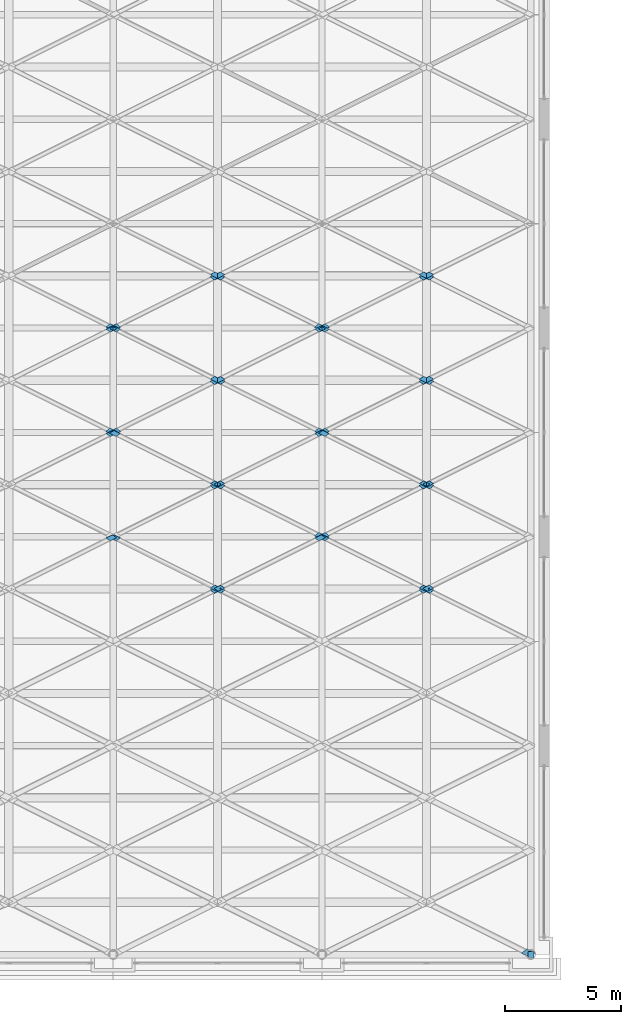
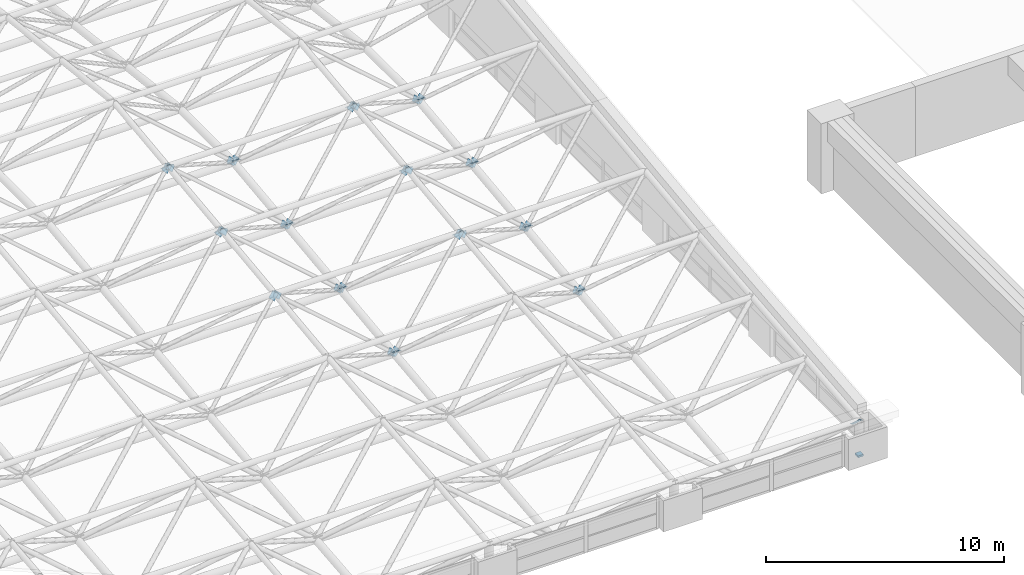
# One storey, part 46 of 53: 56 discrete accessories.
"""IFC4 building model written with IfcOpenShell, lengths in metres."""

from ifc_helpers import new_model, si_unit, direction, frame, origin, origin_2d, place, context, subcontext, project, spatial, polyline, rectangle, outline, extrude, material, layer, layer_set, type_object, element, save


model = new_model("IFC4")

# Units and contexts
model_context = context("Model", 3, precision=1e-05, world=origin(), true_north=direction((0.0, 1.0)))
body_context = subcontext(model_context, "Body", "Model", "MODEL_VIEW")
ifc_project = project(units=[si_unit("LENGTHUNIT", "METRE"), si_unit("AREAUNIT", "SQUARE_METRE"), si_unit("VOLUMEUNIT", "CUBIC_METRE"), si_unit("PLANEANGLEUNIT", "RADIAN"), si_unit("MASSUNIT", "GRAM", prefix="KILO")], contexts=[model_context])

# Site, building, storey
site_placement = place(None, origin())
site = spatial("IfcSite", under=ifc_project, at=site_placement, CompositionType="ELEMENT")
building_placement = place(site_placement, origin())
building = spatial("IfcBuilding", under=site, at=building_placement, Name="Aravalli Gate Trade Fair Centre", CompositionType="ELEMENT")
storey_placement = place(building_placement, frame((0.0, 0.0, 25.199951171875)))
storey = spatial("IfcBuildingStorey", under=building, at=storey_placement, Name="ROOF LEVEL 2", CompositionType="ELEMENT", Elevation=25.199951171875)

# Discrete accessories
ifc_material = material(Name="Steel E350", Category="steel")
discrete_accessory_type_1 = type_object("IfcDiscreteAccessoryType", Name="Bearing shoe fixed", PredefinedType="BRACKET", material=ifc_material)
discrete_accessory_1_placement = place(storey_placement, frame((105.0, 46.0, 0.0), z_axis=(0.0, 0.0, 1.0), x_axis=(1.0, 0.0, 0.0)))
element("IfcDiscreteAccessory", 1, at=discrete_accessory_1_placement, inside=storey, type_object=discrete_accessory_type_1, Name="Bearing shoe A12 (fixed)", PredefinedType="BRACKET", context=body_context, shape_type="SweptSolid", body=[
    extrude(rectangle(XDim=0.260009765625, YDim=0.260009765625, at=origin_2d()), origin(), (0.0, 0.0, 1.0), 0.10009765625),
])
ifc_layer_1 = layer(ifc_material, 0.011962890625)
ifc_layer_set_1 = layer_set([ifc_layer_1], Name="Steel E350")
discrete_accessory_type_2 = type_object("IfcDiscreteAccessoryType", Name="Gusset plate 291 x 291 x 12", PredefinedType="USERDEFINED", material=ifc_layer_set_1)
for number, where, z_axis, x_axis, name in (
    (2, (91.181884765625, 61.713134765625, 0.479248046875), (0.000260921892, 0.770886805608, 0.636972106814), (0.786233024012, 0.393446097564, -0.476484837392), "Gusset plate Space frame web diagonal D2A end B"),
    (3, (100.181884765625, 61.713134765625, 0.479248046875), (0.000260921892, 0.770886805608, 0.636972106814), (0.786233024012, 0.393446097564, -0.476484837392), "Gusset plate Space frame web diagonal D2A end B"),
):
    element("IfcDiscreteAccessory", number, at=place(storey_placement, frame(where, z_axis=z_axis, x_axis=x_axis)), inside=storey, type_object=discrete_accessory_type_2, Name=name, ObjectType="GUSSET PLATE", PredefinedType="USERDEFINED", context=body_context, shape_type="SweptSolid", body=[
        extrude(outline(polyline([(0.0, 0.0), (0.3704496717105797, -1.3877787807814457e-17), (0.37041105616888137, -0.29044341854454775), (-0.00023056696357631745, -0.2902925567125407), (0.0, 0.0)])), origin(), (0.0, 0.0, -1.0), 0.011962890625),
    ])
discrete_accessory_2_placement = place(storey_placement, frame((91.181884765625, 66.213134765625, 1.029052734375), z_axis=(-6.9765199e-05, 0.771154883137, 0.636647580178), x_axis=(0.786233023991, 0.393446013556, -0.476484906794)))
element("IfcDiscreteAccessory", 4, at=discrete_accessory_2_placement, inside=storey, type_object=discrete_accessory_type_2, Name="Gusset plate Space frame web diagonal D2A end B", ObjectType="GUSSET PLATE", PredefinedType="USERDEFINED", context=body_context, shape_type="SweptSolid", body=[
    extrude(outline(polyline([(0.0, 0.0), (0.37044967171058096, -2.7755575615628914e-17), (0.3702947268495056, -0.290591407927876), (-0.0003468962829482891, -0.29044054608337494), (0.0, 0.0)])), origin(), (0.0, 0.0, -1.0), 0.011962890625),
])
discrete_accessory_3_placement = place(storey_placement, frame((96.138916015625, 64.191650390625, 3.477294921875), z_axis=(-6.9765199e-05, 0.771154883137, 0.636647580178), x_axis=(-0.786484474244, -0.393242254842, 0.476238071536)))
element("IfcDiscreteAccessory", 5, at=discrete_accessory_3_placement, inside=storey, type_object=discrete_accessory_type_2, Name="Gusset plate Space frame web diagonal D2A end A", ObjectType="GUSSET PLATE", PredefinedType="USERDEFINED", context=body_context, shape_type="SweptSolid", body=[
    extrude(outline(polyline([(0.0, 0.0), (0.37064165383501635, -1.3877787807814457e-17), (0.3706783195979393, 0.29059144692340316), (0.00022867857401766278, 0.2904406632211646), (0.0, 0.0)])), origin(), (0.0, 0.0, -1.0), 0.011962890625),
])
discrete_accessory_4_placement = place(storey_placement, frame((100.181884765625, 66.213134765625, 1.029052734375), z_axis=(-6.9765199e-05, 0.771154883137, 0.636647580178), x_axis=(0.786233023991, 0.393446013556, -0.476484906794)))
element("IfcDiscreteAccessory", 6, at=discrete_accessory_4_placement, inside=storey, type_object=discrete_accessory_type_2, Name="Gusset plate Space frame web diagonal D2A end B", ObjectType="GUSSET PLATE", PredefinedType="USERDEFINED", context=body_context, shape_type="SweptSolid", body=[
    extrude(outline(polyline([(0.0, 0.0), (0.37044967171058096, -2.7755575615628914e-17), (0.3702947268495056, -0.290591407927876), (-0.0003468962829482891, -0.29044054608337494), (0.0, 0.0)])), origin(), (0.0, 0.0, -1.0), 0.011962890625),
])
for number, where, z_axis, x_axis, name in (
    (7, (91.638916015625, 61.567626953125, 0.6552734375), (-0.000260921892, 0.770886805608, 0.636972106814), (-0.786484474223, 0.393242170877, -0.476238140902), "Gusset plate Space frame web diagonal D2B end B"),
    (8, (100.638916015625, 61.567626953125, 0.6552734375), (-0.000260921892, 0.770886805608, 0.636972106814), (-0.786484474223, 0.393242170877, -0.476238140902), "Gusset plate Space frame web diagonal D2B end B"),
):
    element("IfcDiscreteAccessory", number, at=place(storey_placement, frame(where, z_axis=z_axis, x_axis=x_axis)), inside=storey, type_object=discrete_accessory_type_2, Name=name, ObjectType="GUSSET PLATE", PredefinedType="USERDEFINED", context=body_context, shape_type="SweptSolid", body=[
        extrude(outline(polyline([(0.0, 0.0), (0.37064165383501513, 1.3877787807814457e-17), (0.37056205053393565, -0.29044341020294784), (0.00011240951001027788, -0.2902926265131968), (0.0, 0.0)])), origin(), (0.0, 0.0, -1.0), 0.011962890625),
    ])
discrete_accessory_5_placement = place(storey_placement, frame((95.681884765625, 64.046142578125, 3.653564453125), z_axis=(6.9765199e-05, 0.771154883137, 0.636647580178), x_axis=(0.786233023991, -0.393446013556, 0.476484906794)))
element("IfcDiscreteAccessory", 9, at=discrete_accessory_5_placement, inside=storey, type_object=discrete_accessory_type_2, Name="Gusset plate Space frame web diagonal D2B end A", ObjectType="GUSSET PLATE", PredefinedType="USERDEFINED", context=body_context, shape_type="SweptSolid", body=[
    extrude(outline(polyline([(0.0, 0.0), (0.37044967171058096, 2.7755575615628914e-17), (0.3702947268495056, 0.290591407927876), (-0.0003468962829482891, 0.29044054608337494), (0.0, 0.0)])), origin(), (0.0, 0.0, -1.0), 0.011962890625),
])
for number, where, z_axis, x_axis, name in (
    (10, (91.638916015625, 66.067626953125, 1.205322265625), (6.9765199e-05, 0.771154883137, 0.636647580178), (-0.786484474244, 0.393242254842, -0.476238071536), "Gusset plate Space frame web diagonal D2B end B"),
    (11, (100.638916015625, 66.067626953125, 1.205322265625), (6.9765199e-05, 0.771154883137, 0.636647580178), (-0.786484474244, 0.393242254842, -0.476238071536), "Gusset plate Space frame web diagonal D2B end B"),
):
    element("IfcDiscreteAccessory", number, at=place(storey_placement, frame(where, z_axis=z_axis, x_axis=x_axis)), inside=storey, type_object=discrete_accessory_type_2, Name=name, ObjectType="GUSSET PLATE", PredefinedType="USERDEFINED", context=body_context, shape_type="SweptSolid", body=[
        extrude(outline(polyline([(0.0, 0.0), (0.37064165383501635, 1.3877787807814457e-17), (0.3706783195979393, -0.29059144692340316), (0.00022867857401766278, -0.2904406632211646), (0.0, 0.0)])), origin(), (0.0, 0.0, -1.0), 0.011962890625),
    ])
discrete_accessory_6_placement = place(storey_placement, frame((87.12158203125, 63.824462890625, 3.455078125), z_axis=(-5.9235462e-05, -0.824355565608, 0.566072343383), x_axis=(-0.74910175115, 0.37503400761, 0.546073309694)))
element("IfcDiscreteAccessory", 12, at=discrete_accessory_6_placement, inside=storey, type_object=discrete_accessory_type_2, Name="Gusset plate Space frame web diagonal D2C end A", ObjectType="GUSSET PLATE", PredefinedType="USERDEFINED", context=body_context, shape_type="SweptSolid", body=[
    extrude(outline(polyline([(0.0, 0.0), (0.37056099002046733, -1.3877787807814457e-17), (0.3708571273038952, -0.29037522366126584), (0.00024656979283793623, -0.29068772448272373), (0.0, 0.0)])), origin(), (0.0, 0.0, -1.0), 0.011962890625),
])
discrete_accessory_7_placement = place(storey_placement, frame((91.18603515625, 61.792236328125, 0.4970703125), z_axis=(-0.000338926475, -0.824215745649, 0.566275807141), x_axis=(0.749929468437, -0.374811008577, -0.545089442403)))
element("IfcDiscreteAccessory", 13, at=discrete_accessory_7_placement, inside=storey, type_object=discrete_accessory_type_2, Name="Gusset plate Space frame web diagonal D2C end B", ObjectType="GUSSET PLATE", PredefinedType="USERDEFINED", context=body_context, shape_type="SweptSolid", body=[
    extrude(outline(polyline([(0.0, 0.0), (0.3704775800363668, 1.3877787807814457e-17), (0.37054452148215117, 0.29037536695413646), (0.00011695121776518491, 0.29068780553250784), (0.0, 0.0)])), origin(), (0.0, 0.0, -1.0), 0.011962890625),
])
discrete_accessory_8_placement = place(storey_placement, frame((96.12158203125, 63.824462890625, 3.455078125), z_axis=(-5.9235462e-05, -0.824355565608, 0.566072343383), x_axis=(-0.74910175115, 0.37503400761, 0.546073309694)))
element("IfcDiscreteAccessory", 14, at=discrete_accessory_8_placement, inside=storey, type_object=discrete_accessory_type_2, Name="Gusset plate Space frame web diagonal D2C end A", ObjectType="GUSSET PLATE", PredefinedType="USERDEFINED", context=body_context, shape_type="SweptSolid", body=[
    extrude(outline(polyline([(0.0, 0.0), (0.37056099002046733, -1.3877787807814457e-17), (0.3708571273038952, -0.29037522366126584), (0.00024656979283793623, -0.29068772448272373), (0.0, 0.0)])), origin(), (0.0, 0.0, -1.0), 0.011962890625),
])
discrete_accessory_9_placement = place(storey_placement, frame((100.18603515625, 61.792236328125, 0.4970703125), z_axis=(-0.000338926475, -0.824215745649, 0.566275807141), x_axis=(0.749929468437, -0.374811008577, -0.545089442403)))
element("IfcDiscreteAccessory", 15, at=discrete_accessory_9_placement, inside=storey, type_object=discrete_accessory_type_2, Name="Gusset plate Space frame web diagonal D2C end B", ObjectType="GUSSET PLATE", PredefinedType="USERDEFINED", context=body_context, shape_type="SweptSolid", body=[
    extrude(outline(polyline([(0.0, 0.0), (0.3704775800363668, 1.3877787807814457e-17), (0.37054452148215117, 0.29037536695413646), (0.00011695121776518491, 0.29068780553250784), (0.0, 0.0)])), origin(), (0.0, 0.0, -1.0), 0.011962890625),
])
discrete_accessory_10_placement = place(storey_placement, frame((87.12158203125, 68.324462890625, 4.005126953125), z_axis=(-5.9235462e-05, -0.824355565608, 0.566072343383), x_axis=(-0.74937131646, 0.374861397834, 0.545821914622)))
element("IfcDiscreteAccessory", 16, at=discrete_accessory_10_placement, inside=storey, type_object=discrete_accessory_type_2, Name="Gusset plate Space frame web diagonal D2C end A", ObjectType="GUSSET PLATE", PredefinedType="USERDEFINED", context=body_context, shape_type="SweptSolid", body=[
    extrude(outline(polyline([(0.0, 0.0), (0.3704277020236978, 0.0), (0.37073891027907924, -0.290526143046557), (-5.001029550574798e-06, -0.29053697785674903), (0.0, 0.0)])), origin(), (0.0, 0.0, -1.0), 0.011962890625),
])
discrete_accessory_11_placement = place(storey_placement, frame((91.18603515625, 66.292236328125, 1.047119140625), z_axis=(-0.000356491483, -0.824386555112, 0.566027102411), x_axis=(0.749660046124, -0.374830119882, -0.545446786108)))
element("IfcDiscreteAccessory", 17, at=discrete_accessory_11_placement, inside=storey, type_object=discrete_accessory_type_2, Name="Gusset plate Space frame web diagonal D2C end B", ObjectType="GUSSET PLATE", PredefinedType="USERDEFINED", context=body_context, shape_type="SweptSolid", body=[
    extrude(outline(polyline([(0.0, 0.0), (0.37061069570280314, 0.0), (0.3704262257769532, 0.2905262593825685), (-1.4474536517566916e-06, 0.29068783726431885), (0.0, 0.0)])), origin(), (0.0, 0.0, -1.0), 0.011962890625),
])
discrete_accessory_12_placement = place(storey_placement, frame((96.12158203125, 68.324462890625, 4.005126953125), z_axis=(-5.9235462e-05, -0.824355565608, 0.566072343383), x_axis=(-0.74937131646, 0.374861397834, 0.545821914622)))
element("IfcDiscreteAccessory", 18, at=discrete_accessory_12_placement, inside=storey, type_object=discrete_accessory_type_2, Name="Gusset plate Space frame web diagonal D2C end A", ObjectType="GUSSET PLATE", PredefinedType="USERDEFINED", context=body_context, shape_type="SweptSolid", body=[
    extrude(outline(polyline([(0.0, 0.0), (0.3704277020236978, 0.0), (0.37073891027907924, -0.290526143046557), (-5.001029550574798e-06, -0.29053697785674903), (0.0, 0.0)])), origin(), (0.0, 0.0, -1.0), 0.011962890625),
])
discrete_accessory_13_placement = place(storey_placement, frame((100.18603515625, 66.292236328125, 1.047119140625), z_axis=(-0.000356491483, -0.824386555112, 0.566027102411), x_axis=(0.749660046124, -0.374830119882, -0.545446786108)))
element("IfcDiscreteAccessory", 19, at=discrete_accessory_13_placement, inside=storey, type_object=discrete_accessory_type_2, Name="Gusset plate Space frame web diagonal D2C end B", ObjectType="GUSSET PLATE", PredefinedType="USERDEFINED", context=body_context, shape_type="SweptSolid", body=[
    extrude(outline(polyline([(0.0, 0.0), (0.37061069570280314, 0.0), (0.3704262257769532, 0.2905262593825685), (-1.4474536517566916e-06, 0.29068783726431885), (0.0, 0.0)])), origin(), (0.0, 0.0, -1.0), 0.011962890625),
])
for number, where, z_axis, x_axis, name in (
    (20, (86.68603515625, 63.94775390625, 3.634765625), (5.9235462e-05, -0.824355565608, 0.566072343383), (0.749660070237, 0.374676343996, 0.545552395598), "Gusset plate Space frame web diagonal D2D end A"),
    (21, (95.68603515625, 63.94775390625, 3.634765625), (5.9235462e-05, -0.824355565608, 0.566072343383), (0.749660070237, 0.374676343996, 0.545552395598), "Gusset plate Space frame web diagonal D2D end A"),
):
    element("IfcDiscreteAccessory", number, at=place(storey_placement, frame(where, z_axis=z_axis, x_axis=x_axis)), inside=storey, type_object=discrete_accessory_type_2, Name=name, ObjectType="GUSSET PLATE", PredefinedType="USERDEFINED", context=body_context, shape_type="SweptSolid", body=[
        extrude(outline(polyline([(0.0, 0.0), (0.3706106892622231, -1.3877787807814457e-17), (0.3705593979521325, -0.2903753701380719), (-1.4603348369723879e-06, -0.29068782905287593), (0.0, 0.0)])), origin(), (0.0, 0.0, -1.0), 0.011962890625),
    ])
for number, where, z_axis, x_axis, name in (
    (22, (91.62158203125, 61.91552734375, 0.6767578125), (0.000338926475, -0.824215745649, 0.566275807141), (-0.74937124219, -0.375168906268, -0.545610697428), "Gusset plate Space frame web diagonal D2D end B"),
    (23, (100.62158203125, 61.91552734375, 0.6767578125), (0.000338926475, -0.824215745649, 0.566275807141), (-0.74937124219, -0.375168906268, -0.545610697428), "Gusset plate Space frame web diagonal D2D end B"),
):
    element("IfcDiscreteAccessory", number, at=place(storey_placement, frame(where, z_axis=z_axis, x_axis=x_axis)), inside=storey, type_object=discrete_accessory_type_2, Name=name, ObjectType="GUSSET PLATE", PredefinedType="USERDEFINED", context=body_context, shape_type="SweptSolid", body=[
        extrude(outline(polyline([(0.0, 0.0), (0.3704277020281311, 2.7755575615628914e-17), (0.37060567875441897, 0.29037532012757467), (0.00012823049953920862, 0.29068780077573153), (0.0, 0.0)])), origin(), (0.0, 0.0, -1.0), 0.011962890625),
    ])
for number, where, z_axis, x_axis, name in (
    (24, (86.68603515625, 68.44775390625, 4.1845703125), (5.9235462e-05, -0.824355565608, 0.566072343383), (0.749390667151, 0.374849001628, 0.545803860343), "Gusset plate Space frame web diagonal D2D end A"),
    (25, (95.68603515625, 68.44775390625, 4.1845703125), (5.9235462e-05, -0.824355565608, 0.566072343383), (0.749390667151, 0.374849001628, 0.545803860343), "Gusset plate Space frame web diagonal D2D end A"),
):
    element("IfcDiscreteAccessory", number, at=place(storey_placement, frame(where, z_axis=z_axis, x_axis=x_axis)), inside=storey, type_object=discrete_accessory_type_2, Name=name, ObjectType="GUSSET PLATE", PredefinedType="USERDEFINED", context=body_context, shape_type="SweptSolid", body=[
        extrude(outline(polyline([(0.0, 0.0), (0.37074391146695085, 0.0), (0.3704411936966931, -0.2905261520174016), (1.3491831181253189e-05, -0.2905369775865267), (0.0, 0.0)])), origin(), (0.0, 0.0, -1.0), 0.011962890625),
    ])
for number, where, z_axis, x_axis, name in (
    (26, (91.62158203125, 66.41552734375, 1.226806640625), (0.000356491483, -0.824386555112, 0.566027102411), (-0.749371292409, -0.375015088164, -0.54571636384), "Gusset plate Space frame web diagonal D2D end B"),
    (27, (100.62158203125, 66.41552734375, 1.226806640625), (0.000356491483, -0.824386555112, 0.566027102411), (-0.749371292409, -0.375015088164, -0.54571636384), "Gusset plate Space frame web diagonal D2D end B"),
):
    element("IfcDiscreteAccessory", number, at=place(storey_placement, frame(where, z_axis=z_axis, x_axis=x_axis)), inside=storey, type_object=discrete_accessory_type_2, Name=name, ObjectType="GUSSET PLATE", PredefinedType="USERDEFINED", context=body_context, shape_type="SweptSolid", body=[
        extrude(outline(polyline([(0.0, 0.0), (0.3704277084701571, 1.3877787807814457e-17), (0.3707389038272042, 0.29052615127976134), (0.00012824338136119273, 0.2906878089792164), (0.0, 0.0)])), origin(), (0.0, 0.0, -1.0), 0.011962890625),
    ])
discrete_accessory_14_placement = place(storey_placement, frame((87.138671875, 68.69140625, 4.027099609375), z_axis=(0.000259688153, 0.77158167438, 0.636130216483), x_axis=(-0.786189750281, -0.392961505637, 0.476955901148)))
element("IfcDiscreteAccessory", 28, at=discrete_accessory_14_placement, inside=storey, type_object=discrete_accessory_type_2, Name="Gusset plate Space frame web diagonal D3A end A", ObjectType="GUSSET PLATE", PredefinedType="USERDEFINED", context=body_context, shape_type="SweptSolid", body=[
    extrude(outline(polyline([(0.0, 0.0), (0.37047009323158403, -1.3877787807814457e-17), (0.3706453255393415, 0.29059138113822636), (7.929444017017173e-05, 0.29046925152010133), (0.0, 0.0)])), origin(), (0.0, 0.0, -1.0), 0.011962890625),
])
discrete_accessory_15_placement = place(storey_placement, frame((91.181884765625, 70.713134765625, 1.574462890625), z_axis=(0.000589123978, 0.771792295466, 0.635874441689), x_axis=(0.785942550469, 0.392803472142, -0.477493182816)))
element("IfcDiscreteAccessory", 29, at=discrete_accessory_15_placement, inside=storey, type_object=discrete_accessory_type_2, Name="Gusset plate Space frame web diagonal D3A end B", ObjectType="GUSSET PLATE", PredefinedType="USERDEFINED", context=body_context, shape_type="SweptSolid", body=[
    extrude(outline(polyline([(0.0, 0.0), (0.3705866429803553, -2.7755575615628914e-17), (0.37039124031354775, -0.29046920151748473), (-7.882718272163303e-05, -0.29032116611826925), (0.0, 0.0)])), origin(), (0.0, 0.0, -1.0), 0.011962890625),
])
discrete_accessory_16_placement = place(storey_placement, frame((96.138671875, 68.69140625, 4.027099609375), z_axis=(0.000259688153, 0.77158167438, 0.636130216483), x_axis=(-0.786189750281, -0.392961505637, 0.476955901148)))
element("IfcDiscreteAccessory", 30, at=discrete_accessory_16_placement, inside=storey, type_object=discrete_accessory_type_2, Name="Gusset plate Space frame web diagonal D3A end A", ObjectType="GUSSET PLATE", PredefinedType="USERDEFINED", context=body_context, shape_type="SweptSolid", body=[
    extrude(outline(polyline([(0.0, 0.0), (0.37047009323158403, -1.3877787807814457e-17), (0.3706453255393415, 0.29059138113822636), (7.929444017017173e-05, 0.29046925152010133), (0.0, 0.0)])), origin(), (0.0, 0.0, -1.0), 0.011962890625),
])
discrete_accessory_17_placement = place(storey_placement, frame((100.181884765625, 70.713134765625, 1.574462890625), z_axis=(0.000589123978, 0.771792295466, 0.635874441689), x_axis=(0.785942550469, 0.392803472142, -0.477493182816)))
element("IfcDiscreteAccessory", 31, at=discrete_accessory_17_placement, inside=storey, type_object=discrete_accessory_type_2, Name="Gusset plate Space frame web diagonal D3A end B", ObjectType="GUSSET PLATE", PredefinedType="USERDEFINED", context=body_context, shape_type="SweptSolid", body=[
    extrude(outline(polyline([(0.0, 0.0), (0.3705866429803553, -2.7755575615628914e-17), (0.37039124031354775, -0.29046920151748473), (-7.882718272163303e-05, -0.29032116611826925), (0.0, 0.0)])), origin(), (0.0, 0.0, -1.0), 0.011962890625),
])
discrete_accessory_18_placement = place(storey_placement, frame((87.138671875, 73.19140625, 4.567138671875), z_axis=(0.000259688153, 0.77158167438, 0.636130216483), x_axis=(-0.786189750281, -0.392961505637, 0.476955901148)))
element("IfcDiscreteAccessory", 32, at=discrete_accessory_18_placement, inside=storey, type_object=discrete_accessory_type_2, Name="Gusset plate Space frame web diagonal D3A end A", ObjectType="GUSSET PLATE", PredefinedType="USERDEFINED", context=body_context, shape_type="SweptSolid", body=[
    extrude(outline(polyline([(0.0, 0.0), (0.37047009323158403, -1.3877787807814457e-17), (0.3706453255393415, 0.29059138113822636), (7.929444017017173e-05, 0.29046925152010133), (0.0, 0.0)])), origin(), (0.0, 0.0, -1.0), 0.011962890625),
])
discrete_accessory_19_placement = place(storey_placement, frame((91.181884765625, 75.213134765625, 2.1142578125), z_axis=(0.000259222443, 0.771843687699, 0.635812279342), x_axis=(0.78618965885, 0.392765328311, -0.477117613586)))
element("IfcDiscreteAccessory", 33, at=discrete_accessory_19_placement, inside=storey, type_object=discrete_accessory_type_2, Name="Gusset plate Space frame web diagonal D3A end B", ObjectType="GUSSET PLATE", PredefinedType="USERDEFINED", context=body_context, shape_type="SweptSolid", body=[
    extrude(outline(polyline([(0.0, 0.0), (0.3704701052045229, -2.7755575615628914e-17), (0.3703907868210381, -0.2904692667840814), (-7.931838348480824e-05, -0.2904692667840814), (0.0, 0.0)])), origin(), (0.0, 0.0, -1.0), 0.011962890625),
])
discrete_accessory_20_placement = place(storey_placement, frame((96.138671875, 73.19140625, 4.567138671875), z_axis=(0.000259688153, 0.77158167438, 0.636130216483), x_axis=(-0.786189750281, -0.392961505637, 0.476955901148)))
element("IfcDiscreteAccessory", 34, at=discrete_accessory_20_placement, inside=storey, type_object=discrete_accessory_type_2, Name="Gusset plate Space frame web diagonal D3A end A", ObjectType="GUSSET PLATE", PredefinedType="USERDEFINED", context=body_context, shape_type="SweptSolid", body=[
    extrude(outline(polyline([(0.0, 0.0), (0.37047009323158403, -1.3877787807814457e-17), (0.3706453255393415, 0.29059138113822636), (7.929444017017173e-05, 0.29046925152010133), (0.0, 0.0)])), origin(), (0.0, 0.0, -1.0), 0.011962890625),
])
discrete_accessory_21_placement = place(storey_placement, frame((100.181884765625, 75.213134765625, 2.1142578125), z_axis=(0.000259222443, 0.771843687699, 0.635812279342), x_axis=(0.78618965885, 0.392765328311, -0.477117613586)))
element("IfcDiscreteAccessory", 35, at=discrete_accessory_21_placement, inside=storey, type_object=discrete_accessory_type_2, Name="Gusset plate Space frame web diagonal D3A end B", ObjectType="GUSSET PLATE", PredefinedType="USERDEFINED", context=body_context, shape_type="SweptSolid", body=[
    extrude(outline(polyline([(0.0, 0.0), (0.3704701052045229, -2.7755575615628914e-17), (0.3703907868210381, -0.2904692667840814), (-7.931838348480824e-05, -0.2904692667840814), (0.0, 0.0)])), origin(), (0.0, 0.0, -1.0), 0.011962890625),
])
for number, where, z_axis, x_axis, name in (
    (36, (86.681884765625, 68.546142578125, 4.203369140625), (-0.000259688153, 0.77158167438, 0.636130216483), (0.785986034617, -0.393126352276, 0.477155765483), "Gusset plate Space frame web diagonal D3B end A"),
    (37, (95.681884765625, 68.546142578125, 4.203369140625), (-0.000259688153, 0.77158167438, 0.636130216483), (0.785986034617, -0.393126352276, 0.477155765483), "Gusset plate Space frame web diagonal D3B end A"),
):
    element("IfcDiscreteAccessory", number, at=place(storey_placement, frame(where, z_axis=z_axis, x_axis=x_axis)), inside=storey, type_object=discrete_accessory_type_2, Name=name, ObjectType="GUSSET PLATE", PredefinedType="USERDEFINED", context=body_context, shape_type="SweptSolid", body=[
        extrude(outline(polyline([(0.0, 0.0), (0.3705660512246577, 1.3877787807814457e-17), (0.3702950470274762, 0.2905913076038385), (-0.0001750260838329909, 0.2904692096111498), (0.0, 0.0)])), origin(), (0.0, 0.0, -1.0), 0.011962890625),
    ])
for number, where, z_axis, x_axis, name in (
    (38, (91.638671875, 70.56787109375, 1.75048828125), (-0.000589123978, 0.771792295466, 0.635874441689), (-0.786189552673, 0.392603629975, -0.477250853324), "Gusset plate Space frame web diagonal D3B end B"),
    (39, (100.638671875, 70.56787109375, 1.75048828125), (-0.000589123978, 0.771792295466, 0.635874441689), (-0.786189552673, 0.392603629975, -0.477250853324), "Gusset plate Space frame web diagonal D3B end B"),
):
    element("IfcDiscreteAccessory", number, at=place(storey_placement, frame(where, z_axis=z_axis, x_axis=x_axis)), inside=storey, type_object=discrete_accessory_type_2, Name=name, ObjectType="GUSSET PLATE", PredefinedType="USERDEFINED", context=body_context, shape_type="SweptSolid", body=[
        extrude(outline(polyline([(0.0, 0.0), (0.3704700970728539, 1.3877787807814457e-17), (0.37054943172141785, -0.29046925640835186), (-3.7181673048419794e-05, -0.2903211744387922), (0.0, 0.0)])), origin(), (0.0, 0.0, -1.0), 0.011962890625),
    ])
for number, where, z_axis, x_axis, name in (
    (40, (86.681884765625, 73.046142578125, 4.743408203125), (-0.000259688153, 0.77158167438, 0.636130216483), (0.785986034617, -0.393126352276, 0.477155765483), "Gusset plate Space frame web diagonal D3B end A"),
    (41, (95.681884765625, 73.046142578125, 4.743408203125), (-0.000259688153, 0.77158167438, 0.636130216483), (0.785986034617, -0.393126352276, 0.477155765483), "Gusset plate Space frame web diagonal D3B end A"),
):
    element("IfcDiscreteAccessory", number, at=place(storey_placement, frame(where, z_axis=z_axis, x_axis=x_axis)), inside=storey, type_object=discrete_accessory_type_2, Name=name, ObjectType="GUSSET PLATE", PredefinedType="USERDEFINED", context=body_context, shape_type="SweptSolid", body=[
        extrude(outline(polyline([(0.0, 0.0), (0.3705660512246577, 1.3877787807814457e-17), (0.3702950470274762, 0.2905913076038385), (-0.0001750260838329909, 0.2904692096111498), (0.0, 0.0)])), origin(), (0.0, 0.0, -1.0), 0.011962890625),
    ])
for number, where, z_axis, x_axis, name in (
    (42, (91.638671875, 75.06787109375, 2.29052734375), (-0.000259222443, 0.771843687699, 0.635812279342), (-0.78618965885, 0.392765328311, -0.477117613586), "Gusset plate Space frame web diagonal D3B end B"),
    (43, (100.638671875, 75.06787109375, 2.29052734375), (-0.000259222443, 0.771843687699, 0.635812279342), (-0.78618965885, 0.392765328311, -0.477117613586), "Gusset plate Space frame web diagonal D3B end B"),
):
    element("IfcDiscreteAccessory", number, at=place(storey_placement, frame(where, z_axis=z_axis, x_axis=x_axis)), inside=storey, type_object=discrete_accessory_type_2, Name=name, ObjectType="GUSSET PLATE", PredefinedType="USERDEFINED", context=body_context, shape_type="SweptSolid", body=[
        extrude(outline(polyline([(0.0, 0.0), (0.3704701052045229, 2.7755575615628914e-17), (0.3705494235880077, -0.29046926678408136), (7.931838348480824e-05, -0.2904692667840814), (0.0, 0.0)])), origin(), (0.0, 0.0, -1.0), 0.011962890625),
    ])
discrete_accessory_22_placement = place(storey_placement, frame((87.121826171875, 72.824462890625, 4.54541015625), z_axis=(0.000136804439, -0.823750482353, 0.566952488404), x_axis=(-0.749929392198, 0.374964696099, 0.54498383774)))
element("IfcDiscreteAccessory", 44, at=discrete_accessory_22_placement, inside=storey, type_object=discrete_accessory_type_2, Name="Gusset plate Space frame web diagonal D3C end A", ObjectType="GUSSET PLATE", PredefinedType="USERDEFINED", context=body_context, shape_type="SweptSolid", body=[
    extrude(outline(polyline([(0.0, 0.0), (0.37047758647752815, -1.3877787807814457e-17), (0.37050220203048867, -0.2904791260615137), (2.461555296055795e-05, -0.2904791260615137), (0.0, 0.0)])), origin(), (0.0, 0.0, -1.0), 0.011962890625),
])
discrete_accessory_23_placement = place(storey_placement, frame((91.18603515625, 70.792236328125, 1.592041015625), z_axis=(0.000136804439, -0.823750482353, 0.566952488404), x_axis=(0.749929392198, -0.374964696099, -0.54498383774)))
element("IfcDiscreteAccessory", 45, at=discrete_accessory_23_placement, inside=storey, type_object=discrete_accessory_type_2, Name="Gusset plate Space frame web diagonal D3C end B", ObjectType="GUSSET PLATE", PredefinedType="USERDEFINED", context=body_context, shape_type="SweptSolid", body=[
    extrude(outline(polyline([(0.0, 0.0), (0.37047758647752815, -1.3877787807814457e-17), (0.37045297092456764, 0.2904791260615137), (-2.461555296055795e-05, 0.2904791260615137), (0.0, 0.0)])), origin(), (0.0, 0.0, -1.0), 0.011962890625),
])
discrete_accessory_24_placement = place(storey_placement, frame((96.121826171875, 72.824462890625, 4.54541015625), z_axis=(0.000136804439, -0.823750482353, 0.566952488404), x_axis=(-0.749929392198, 0.374964696099, 0.54498383774)))
element("IfcDiscreteAccessory", 46, at=discrete_accessory_24_placement, inside=storey, type_object=discrete_accessory_type_2, Name="Gusset plate Space frame web diagonal D3C end A", ObjectType="GUSSET PLATE", PredefinedType="USERDEFINED", context=body_context, shape_type="SweptSolid", body=[
    extrude(outline(polyline([(0.0, 0.0), (0.37047758647752815, -1.3877787807814457e-17), (0.37050220203048867, -0.2904791260615137), (2.461555296055795e-05, -0.2904791260615137), (0.0, 0.0)])), origin(), (0.0, 0.0, -1.0), 0.011962890625),
])
for number, where, z_axis, x_axis, name in (
    (47, (100.18603515625, 70.792236328125, 1.592041015625), (0.000136804439, -0.823750482353, 0.566952488404), (0.749929392198, -0.374964696099, -0.54498383774), "Gusset plate Space frame web diagonal D3C end B"),
    (48, (91.18603515625, 75.292236328125, 2.132080078125), (0.000136804439, -0.823750482353, 0.566952488404), (0.749929392198, -0.374964696099, -0.54498383774), "Gusset plate Space frame web diagonal D3C end B"),
    (49, (100.18603515625, 75.292236328125, 2.132080078125), (0.000136804439, -0.823750482353, 0.566952488404), (0.749929392198, -0.374964696099, -0.54498383774), "Gusset plate Space frame web diagonal D3C end B"),
):
    element("IfcDiscreteAccessory", number, at=place(storey_placement, frame(where, z_axis=z_axis, x_axis=x_axis)), inside=storey, type_object=discrete_accessory_type_2, Name=name, ObjectType="GUSSET PLATE", PredefinedType="USERDEFINED", context=body_context, shape_type="SweptSolid", body=[
        extrude(outline(polyline([(0.0, 0.0), (0.37047758647752815, -1.3877787807814457e-17), (0.37045297092456764, 0.2904791260615137), (-2.461555296055795e-05, 0.2904791260615137), (0.0, 0.0)])), origin(), (0.0, 0.0, -1.0), 0.011962890625),
    ])
for number, where, z_axis, x_axis, name in (
    (50, (86.68603515625, 72.947998046875, 4.724853515625), (-0.000136804439, -0.823750482353, 0.566952488404), (0.749929392198, 0.374964696099, 0.54498383774), "Gusset plate Space frame web diagonal D3D end A"),
    (51, (95.68603515625, 72.947998046875, 4.724853515625), (-0.000136804439, -0.823750482353, 0.566952488404), (0.749929392198, 0.374964696099, 0.54498383774), "Gusset plate Space frame web diagonal D3D end A"),
):
    element("IfcDiscreteAccessory", number, at=place(storey_placement, frame(where, z_axis=z_axis, x_axis=x_axis)), inside=storey, type_object=discrete_accessory_type_2, Name=name, ObjectType="GUSSET PLATE", PredefinedType="USERDEFINED", context=body_context, shape_type="SweptSolid", body=[
        extrude(outline(polyline([(0.0, 0.0), (0.37047758647752815, 1.3877787807814457e-17), (0.37045297092456764, -0.2904791260615137), (-2.461555296055795e-05, -0.2904791260615137), (0.0, 0.0)])), origin(), (0.0, 0.0, -1.0), 0.011962890625),
    ])
for number, where, z_axis, x_axis, name in (
    (52, (91.621826171875, 70.915771484375, 1.771484375), (-0.000136804439, -0.823750482353, 0.566952488404), (-0.749929392198, -0.374964696099, -0.54498383774), "Gusset plate Space frame web diagonal D3D end B"),
    (53, (100.621826171875, 70.915771484375, 1.771484375), (-0.000136804439, -0.823750482353, 0.566952488404), (-0.749929392198, -0.374964696099, -0.54498383774), "Gusset plate Space frame web diagonal D3D end B"),
    (54, (91.621826171875, 75.415771484375, 2.3115234375), (-0.000136804439, -0.823750482353, 0.566952488404), (-0.749929392198, -0.374964696099, -0.54498383774), "Gusset plate Space frame web diagonal D3D end B"),
    (55, (100.621826171875, 75.415771484375, 2.3115234375), (-0.000136804439, -0.823750482353, 0.566952488404), (-0.749929392198, -0.374964696099, -0.54498383774), "Gusset plate Space frame web diagonal D3D end B"),
):
    element("IfcDiscreteAccessory", number, at=place(storey_placement, frame(where, z_axis=z_axis, x_axis=x_axis)), inside=storey, type_object=discrete_accessory_type_2, Name=name, ObjectType="GUSSET PLATE", PredefinedType="USERDEFINED", context=body_context, shape_type="SweptSolid", body=[
        extrude(outline(polyline([(0.0, 0.0), (0.37047758647752815, 1.3877787807814457e-17), (0.37050220203048867, 0.2904791260615137), (2.461555296055795e-05, 0.2904791260615137), (0.0, 0.0)])), origin(), (0.0, 0.0, -1.0), 0.011962890625),
    ])
ifc_layer_2 = layer(ifc_material, 0.011962890625)
ifc_layer_set_2 = layer_set([ifc_layer_2], Name="Steel E350")
discrete_accessory_type_3 = type_object("IfcDiscreteAccessoryType", Name="Gusset plate 367 x 367 x 12", PredefinedType="USERDEFINED", material=ifc_layer_set_2)
discrete_accessory_25_placement = place(storey_placement, frame((104.5986328125, 46.057861328125, 1.73828125), z_axis=(0.000106895173, 0.77673595722, 0.629826358082), x_axis=(0.783044443413, -0.391795440284, 0.483050445204)))
element("IfcDiscreteAccessory", 56, at=discrete_accessory_25_placement, inside=storey, type_object=discrete_accessory_type_3, Name="Gusset plate Space frame web diagonal D1B end A", ObjectType="GUSSET PLATE", PredefinedType="USERDEFINED", context=body_context, shape_type="SweptSolid", body=[
    extrude(outline(polyline([(0.0, 0.0), (0.4467862821424865, 0.0), (0.4468639253124893, 0.3669184164565776), (7.764317000273635e-05, 0.36691841645657763), (0.0, 0.0)])), origin(), (0.0, 0.0, -1.0), 0.011962890625),
])

save(model, "model.ifc")
